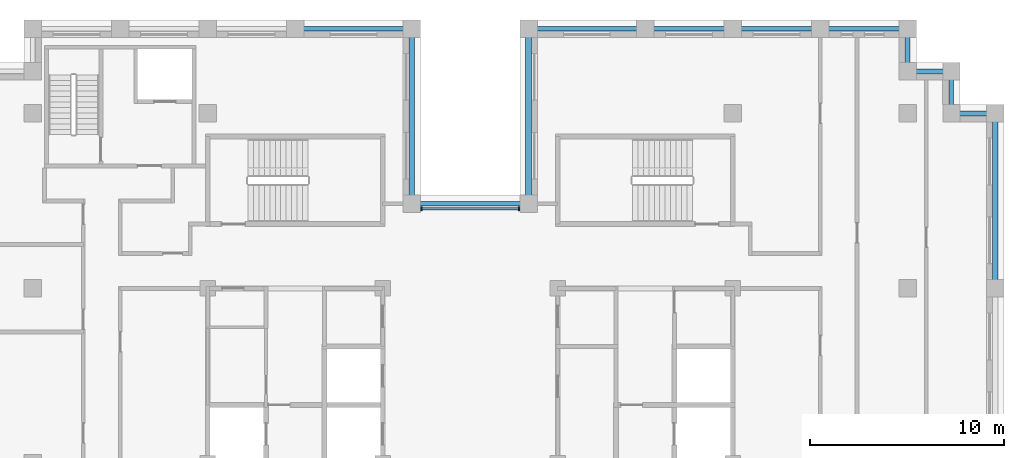
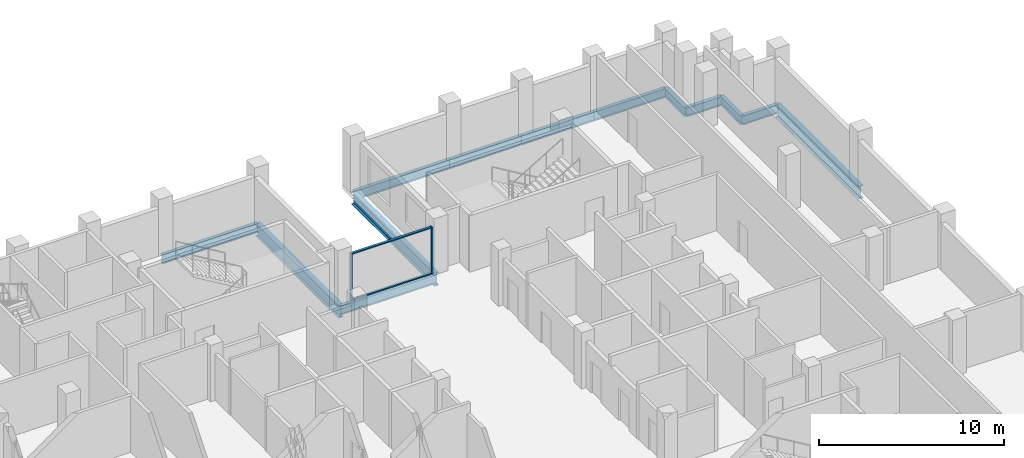
# One storey, part 4 of 13: 13 beams, 4 members, 1 element without a shape of its own.
"""IFC4 building model written with IfcOpenShell, lengths in metres."""

from ifc_helpers import new_model, si_unit, direction, frame, origin, origin_2d, place, context, subcontext, project, spatial, rectangle, i_section, extrude, material, layer, layer_set, material_profile, profile_set, type_object, element, aggregate, save


model = new_model("IFC4")

# Units and contexts
model_context = context("Model", 3, precision=1e-05, world=origin(), true_north=direction((0.0, 1.0)))
body_context = subcontext(model_context, "Body", "Model", "MODEL_VIEW")
ifc_project = project(units=[si_unit("LENGTHUNIT", "METRE"), si_unit("AREAUNIT", "SQUARE_METRE"), si_unit("VOLUMEUNIT", "CUBIC_METRE"), si_unit("PLANEANGLEUNIT", "RADIAN"), si_unit("MASSUNIT", "GRAM", prefix="KILO")], contexts=[model_context])

# Site, building, storey
site_placement = place(None, origin())
site = spatial("IfcSite", under=ifc_project, at=site_placement, CompositionType="ELEMENT")
building_placement = place(site_placement, origin())
building = spatial("IfcBuilding", under=site, at=building_placement, Name="Corbelhall Arena Tower", CompositionType="ELEMENT")
storey_placement = place(building_placement, frame((0.0, 0.0, 274.0)))
storey = spatial("IfcBuildingStorey", under=building, at=storey_placement, Name="L59", CompositionType="ELEMENT", Elevation=274.0)

# Curtain wall, members
ifc_material_1 = material(Name="Aluminium black anodised", Category="aluminium")
ifc_layer = layer(ifc_material_1, 0.199951171875)
ifc_layer_set = layer_set([ifc_layer], Name="EV-CW1 Slot back wall")
curtain_wall_type = type_object("IfcCurtainWallType", Name="EV-CW1 Slot back wall", PredefinedType="NOTDEFINED", material=ifc_layer_set)
curtain_wall_placement = place(storey_placement, origin())
curtain_wall = element("IfcCurtainWall", 1, at=curtain_wall_placement, inside=storey, type_object=curtain_wall_type, Name="Curtain wall CW1", PredefinedType="NOTDEFINED")
ifc_material_profile_1 = material_profile(ifc_material_1, rectangle(XDim=0.199951171875, YDim=0.074951171875, at=origin_2d()))
ifc_profile_set_1 = profile_set([ifc_material_profile_1], Name="Aluminium black anodised")
member_type_1 = type_object("IfcMemberType", Name="EV-CW1-MULLION", PredefinedType="MULLION", material=ifc_profile_set_1)
member_1_placement = place(storey_placement, frame((2.512451171875, 13.10009765625, 0.0), z_axis=(0.0, 0.0, 1.0), x_axis=(0.0, -1.0, 0.0)))
member_1 = element("IfcMember", 2, at=member_1_placement, type_object=member_type_1, Name="CW1 mullion 1", PredefinedType="MULLION", context=body_context, shape_type="SweptSolid", body=[
    extrude(rectangle(XDim=0.199951171875, YDim=0.074951171875, at=origin_2d()), origin(), (0.0, 0.0, 1.0), 3.1201171875),
])
member_2_placement = place(storey_placement, frame((-2.512451171875, 13.10009765625, 0.0), z_axis=(0.0, 0.0, 1.0), x_axis=(0.0, -1.0, 0.0)))
member_2 = element("IfcMember", 3, at=member_2_placement, type_object=member_type_1, Name="CW1 mullion 2", PredefinedType="MULLION", context=body_context, shape_type="SweptSolid", body=[
    extrude(rectangle(XDim=0.199951171875, YDim=0.074951171875, at=origin_2d()), origin(), (0.0, 0.0, 1.0), 3.1201171875),
])
ifc_material_profile_2 = material_profile(ifc_material_1, rectangle(XDim=0.14990234375, YDim=0.074951171875, at=origin_2d()))
ifc_profile_set_2 = profile_set([ifc_material_profile_2], Name="Aluminium black anodised")
member_type_2 = type_object("IfcMemberType", Name="EV-CW1-TRANSOM", PredefinedType="USERDEFINED", material=ifc_profile_set_2)
member_3_placement = place(storey_placement, frame((2.47509765625, 13.10009765625, 0.03759765625), z_axis=(-1.0, 0.0, 0.0), x_axis=(0.0, -1.0, 0.0)))
member_3 = element("IfcMember", 4, at=member_3_placement, type_object=member_type_2, Name="CW1 transom 1.1", ObjectType="transom", PredefinedType="USERDEFINED", context=body_context, shape_type="SweptSolid", body=[
    extrude(rectangle(XDim=0.14990234375, YDim=0.074951171875, at=origin_2d()), origin(), (0.0, 0.0, 1.0), 4.9501953125),
])
member_4_placement = place(storey_placement, frame((2.47509765625, 13.10009765625, 3.08251953125), z_axis=(-1.0, 0.0, 0.0), x_axis=(0.0, -1.0, 0.0)))
member_4 = element("IfcMember", 5, at=member_4_placement, type_object=member_type_2, Name="CW1 transom 1.2", ObjectType="transom", PredefinedType="USERDEFINED", context=body_context, shape_type="SweptSolid", body=[
    extrude(rectangle(XDim=0.14990234375, YDim=0.074951171875, at=origin_2d()), origin(), (0.0, 0.0, 1.0), 4.9501953125),
])
aggregate(curtain_wall, [member_1, member_2, member_3, member_4])

# Beams
ifc_material_2 = material(Name="Steel ASTM A992 Gr50", Category="steel")
ifc_material_profile_3 = material_profile(ifc_material_2, i_section(OverallWidth=0.227783203125, OverallDepth=0.60205078125, WebThickness=0.010498046875, FlangeThickness=0.014892578125, at=origin_2d()))
ifc_profile_set_3 = profile_set([ifc_material_profile_3], Name="Steel ASTM A992 Gr50")
beam_type_1 = type_object("IfcBeamType", Name="ST-SPANDREL-W24x68", PredefinedType="SPANDREL", material=ifc_profile_set_3)
beam_1_placement = place(storey_placement, frame((3.0, 22.35009765625, -0.5810546875), z_axis=(1.0, 0.0, 0.0), x_axis=(0.0, 1.0, 0.0)))
element("IfcBeam", 6, at=beam_1_placement, inside=storey, type_object=beam_type_1, Name="Beam SP 6", PredefinedType="SPANDREL", context=body_context, shape_type="SweptSolid", body=[
    extrude(i_section(OverallWidth=0.227783203125, OverallDepth=0.60205078125, WebThickness=0.010498046875, FlangeThickness=0.014892578125, at=origin_2d()), origin(), (0.0, 0.0, 1.0), 6.0),
])
for number, where, z_axis, x_axis, name in (
    (7, (9.0, 22.35009765625, -0.5810546875), (1.0, 0.0, 0.0), (0.0, 1.0, 0.0), "Beam SP 7"),
    (8, (13.5, 22.35009765625, -0.5810546875), (1.0, 0.0, 0.0), (0.0, 1.0, 0.0), "Beam SP 8"),
    (9, (18.0, 22.35009765625, -0.5810546875), (1.0, 0.0, 0.0), (0.0, 1.0, 0.0), "Beam SP 9"),
):
    element("IfcBeam", number, at=place(storey_placement, frame(where, z_axis=z_axis, x_axis=x_axis)), inside=storey, type_object=beam_type_1, Name=name, PredefinedType="SPANDREL", context=body_context, shape_type="SweptSolid", body=[
        extrude(i_section(OverallWidth=0.227783203125, OverallDepth=0.60205078125, WebThickness=0.010498046875, FlangeThickness=0.014892578125, at=origin_2d()), origin(), (0.0, 0.0, 1.0), 4.5),
    ])
beam_2_placement = place(storey_placement, frame((22.5, 22.35009765625, -0.5810546875), z_axis=(0.0, -1.0, 0.0), x_axis=(1.0, 0.0, 0.0)))
element("IfcBeam", 10, at=beam_2_placement, inside=storey, type_object=beam_type_1, Name="Beam SP 10", PredefinedType="SPANDREL", context=body_context, shape_type="SweptSolid", body=[
    extrude(i_section(OverallWidth=0.227783203125, OverallDepth=0.60205078125, WebThickness=0.010498046875, FlangeThickness=0.014892578125, at=origin_2d()), origin(), (0.0, 0.0, 1.0), 2.175048828125),
])
for number, where, z_axis, x_axis, name in (
    (11, (-9.0, 22.35009765625, -0.5810546875), (1.0, 0.0, 0.0), (0.0, 1.0, 0.0), "Beam SP 12"),
    (12, (-3.0, 13.35009765625, -0.5810546875), (1.0, 0.0, 0.0), (0.0, 1.0, 0.0), "Beam SP 32"),
):
    element("IfcBeam", number, at=place(storey_placement, frame(where, z_axis=z_axis, x_axis=x_axis)), inside=storey, type_object=beam_type_1, Name=name, PredefinedType="SPANDREL", context=body_context, shape_type="SweptSolid", body=[
        extrude(i_section(OverallWidth=0.227783203125, OverallDepth=0.60205078125, WebThickness=0.010498046875, FlangeThickness=0.014892578125, at=origin_2d()), origin(), (0.0, 0.0, 1.0), 6.0),
    ])
beam_3_placement = place(storey_placement, frame((22.5, 20.175048828125, -0.5810546875), z_axis=(1.0, 0.0, 0.0), x_axis=(0.0, 1.0, 0.0)))
element("IfcBeam", 13, at=beam_3_placement, inside=storey, type_object=beam_type_1, Name="Beam SP 35", PredefinedType="SPANDREL", context=body_context, shape_type="SweptSolid", body=[
    extrude(i_section(OverallWidth=0.227783203125, OverallDepth=0.60205078125, WebThickness=0.010498046875, FlangeThickness=0.014892578125, at=origin_2d()), origin(), (0.0, 0.0, 1.0), 2.25),
])
beam_4_placement = place(storey_placement, frame((24.75, 20.175048828125, -0.5810546875), z_axis=(0.0, -1.0, 0.0), x_axis=(1.0, 0.0, 0.0)))
element("IfcBeam", 14, at=beam_4_placement, inside=storey, type_object=beam_type_1, Name="Beam SP 36", PredefinedType="SPANDREL", context=body_context, shape_type="SweptSolid", body=[
    extrude(i_section(OverallWidth=0.227783203125, OverallDepth=0.60205078125, WebThickness=0.010498046875, FlangeThickness=0.014892578125, at=origin_2d()), origin(), (0.0, 0.0, 1.0), 2.175048828125),
])
beam_5_placement = place(storey_placement, frame((24.75, 18.0, -0.5810546875), z_axis=(1.0, 0.0, 0.0), x_axis=(0.0, 1.0, 0.0)))
element("IfcBeam", 15, at=beam_5_placement, inside=storey, type_object=beam_type_1, Name="Beam SP 37", PredefinedType="SPANDREL", context=body_context, shape_type="SweptSolid", body=[
    extrude(i_section(OverallWidth=0.227783203125, OverallDepth=0.60205078125, WebThickness=0.010498046875, FlangeThickness=0.014892578125, at=origin_2d()), origin(), (0.0, 0.0, 1.0), 2.25),
])
ifc_material_profile_4 = material_profile(ifc_material_2, i_section(OverallWidth=0.2919921875, OverallDepth=0.845703125, WebThickness=0.015380859375, FlangeThickness=0.0244140625, at=origin_2d()))
ifc_profile_set_4 = profile_set([ifc_material_profile_4], Name="Steel ASTM A992 Gr50")
beam_type_2 = type_object("IfcBeamType", Name="ST-SPANDREL-W33x141", PredefinedType="SPANDREL", material=ifc_profile_set_4)
for number, where, z_axis, x_axis, name in (
    (16, (27.0, 18.0, -0.702880859375), (0.0, -1.0, 0.0), (1.0, 0.0, 0.0), "Beam SP 3"),
    (17, (-3.0, 22.35009765625, -0.702880859375), (0.0, -1.0, 0.0), (1.0, 0.0, 0.0), "Beam SP 11"),
    (18, (3.0, 13.35009765625, -0.702880859375), (0.0, 1.0, 0.0), (-1.0, 0.0, 0.0), "Beam SP 31"),
):
    element("IfcBeam", number, at=place(storey_placement, frame(where, z_axis=z_axis, x_axis=x_axis)), inside=storey, type_object=beam_type_2, Name=name, PredefinedType="SPANDREL", context=body_context, shape_type="SweptSolid", body=[
        extrude(i_section(OverallWidth=0.2919921875, OverallDepth=0.845703125, WebThickness=0.015380859375, FlangeThickness=0.0244140625, at=origin_2d()), origin(), (0.0, 0.0, 1.0), 9.0),
    ])

save(model, "model.ifc")
